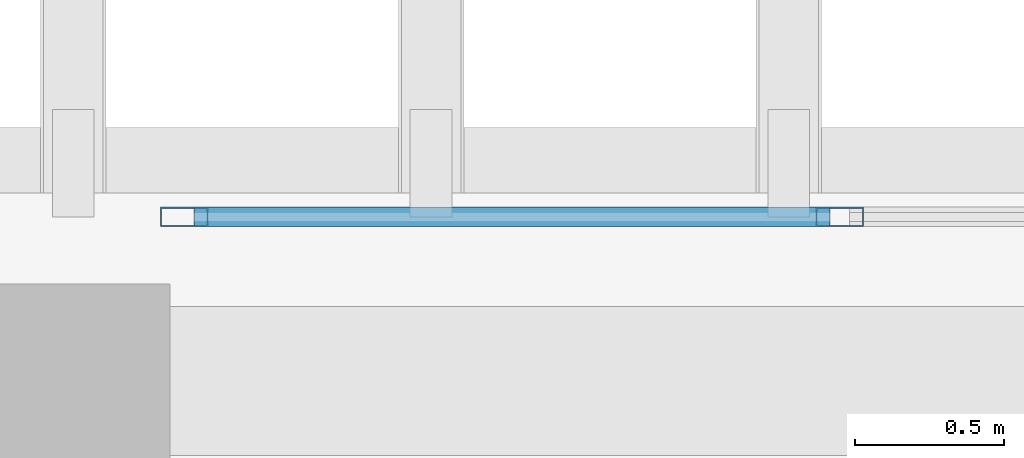
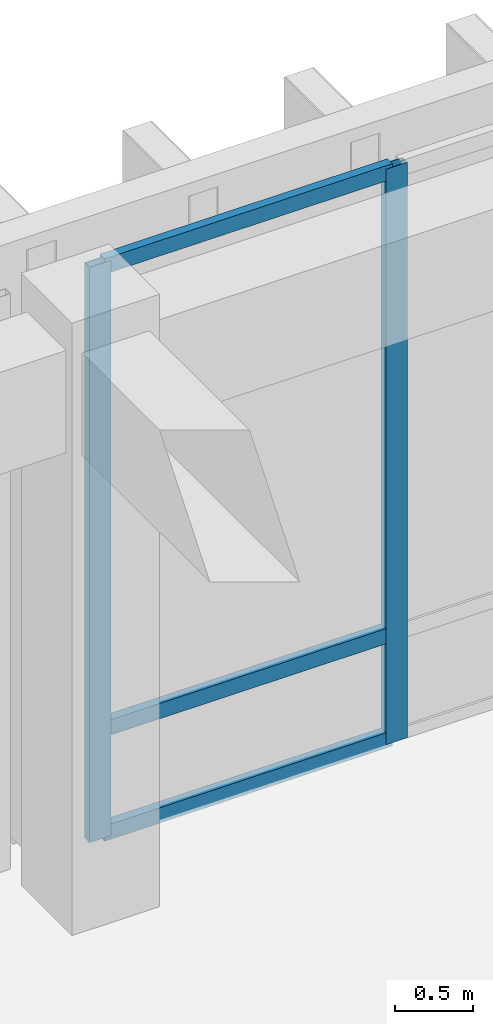
# One storey, part 31 of 101: 5 members, 1 element without a shape of its own.
"""IFC4 building model written with IfcOpenShell, lengths in metres."""

from ifc_helpers import new_model, si_unit, direction, frame, origin, origin_2d, place, context, subcontext, project, spatial, hollow_rectangle, extrude, material, layer, layer_set, material_profile, profile_set, type_object, element, aggregate, save


model = new_model("IFC4")

# Units and contexts
model_context = context("Model", 3, precision=1e-05, world=origin(), true_north=direction((0.0, 1.0)))
body_context = subcontext(model_context, "Body", "Model", "MODEL_VIEW")
ifc_project = project(units=[si_unit("LENGTHUNIT", "METRE"), si_unit("AREAUNIT", "SQUARE_METRE"), si_unit("VOLUMEUNIT", "CUBIC_METRE"), si_unit("PLANEANGLEUNIT", "RADIAN"), si_unit("MASSUNIT", "GRAM", prefix="KILO")], contexts=[model_context])

# Site, building, storey
site_placement = place(None, origin())
site = spatial("IfcSite", under=ifc_project, at=site_placement, CompositionType="ELEMENT")
building_placement = place(site_placement, origin())
building = spatial("IfcBuilding", under=site, at=building_placement, Name="Nakhvara Creek Congress Hotel", CompositionType="ELEMENT")
storey_placement = place(building_placement, frame((0.0, 0.0, 16.199951171875)))
storey = spatial("IfcBuildingStorey", under=building, at=storey_placement, Name="L03", CompositionType="ELEMENT", Elevation=16.199951171875)

# Curtain wall, members
ifc_material_1 = material(Name="Bronze-anodised aluminium AW-6063-T6 and double-silver low-E glass", Category="aluminium")
ifc_layer = layer(ifc_material_1, 0.199951171875)
ifc_layer_set = layer_set([ifc_layer], Name="Bronze-anodised aluminium AW-6063-T6 and double-silver low-E glass")
curtain_wall_type = type_object("IfcCurtainWallType", Name="CW-POD-STICK", PredefinedType="NOTDEFINED", material=ifc_layer_set)
curtain_wall_placement = place(storey_placement, origin())
curtain_wall = element("IfcCurtainWall", 1, at=curtain_wall_placement, inside=storey, type_object=curtain_wall_type, Name="Curtain Wall CW104", PredefinedType="NOTDEFINED")
ifc_material_2 = material(Name="Bronze-anodised aluminium AW-6063-T6", Category="aluminium")
ifc_material_profile_1 = material_profile(ifc_material_2, hollow_rectangle(XDim=0.06494140625, YDim=0.159912109375, WallThickness=0.00390625, at=origin_2d()), Name="ALU-MULL 65x160x4", Category="LoadBearing")
ifc_profile_set_1 = profile_set([ifc_material_profile_1], Name="Bronze-anodised aluminium AW-6063-T6")
member_type_1 = type_object("IfcMemberType", Name="CW-MULL-160", PredefinedType="MULLION", material=ifc_profile_set_1)
member_1_placement = place(storey_placement, frame((125.172607421875, 95.800048828125, 0.0), z_axis=(0.0, 0.0, 1.0), x_axis=(0.0, 1.0, 0.0)))
member_1 = element("IfcMember", 2, at=member_1_placement, type_object=member_type_1, Name="CW104 mullion 1", PredefinedType="MULLION", context=body_context, shape_type="SweptSolid", body=[
    extrude(hollow_rectangle(XDim=0.06494140625, YDim=0.159912109375, WallThickness=0.00390625, at=origin_2d()), origin(), (0.0, 0.0, 1.0), 4.510009765625),
])
member_2_placement = place(storey_placement, frame((127.3701171875, 95.800048828125, 0.0), z_axis=(0.0, 0.0, 1.0), x_axis=(0.0, 1.0, 0.0)))
member_2 = element("IfcMember", 3, at=member_2_placement, type_object=member_type_1, Name="CW104 mullion 2", PredefinedType="MULLION", context=body_context, shape_type="SweptSolid", body=[
    extrude(hollow_rectangle(XDim=0.06494140625, YDim=0.159912109375, WallThickness=0.00390625, at=origin_2d()), origin(), (0.0, 0.0, 1.0), 4.510009765625),
])
ifc_material_profile_2 = material_profile(ifc_material_2, hollow_rectangle(XDim=0.06494140625, YDim=0.1201171875, WallThickness=0.00390625, at=origin_2d()), Name="ALU-TRAN 65x120x4", Category="LoadBearing")
ifc_profile_set_2 = profile_set([ifc_material_profile_2], Name="Bronze-anodised aluminium AW-6063-T6")
member_type_2 = type_object("IfcMemberType", Name="CW-TRAN-120", PredefinedType="USERDEFINED", material=ifc_profile_set_2)
member_3_placement = place(storey_placement, frame((125.205078125, 95.800048828125, 0.032470703125), z_axis=(1.0, 0.0, 0.0), x_axis=(0.0, 1.0, 0.0)))
member_3 = element("IfcMember", 4, at=member_3_placement, type_object=member_type_2, Name="CW104 transom 1.1", ObjectType="TRANSOM", PredefinedType="USERDEFINED", context=body_context, shape_type="SweptSolid", body=[
    extrude(hollow_rectangle(XDim=0.06494140625, YDim=0.1201171875, WallThickness=0.00390625, at=origin_2d()), origin(), (0.0, 0.0, 1.0), 2.13232421875),
])
member_4_placement = place(storey_placement, frame((125.205078125, 95.800048828125, 0.85009765625), z_axis=(1.0, 0.0, 0.0), x_axis=(0.0, 1.0, 0.0)))
member_4 = element("IfcMember", 5, at=member_4_placement, type_object=member_type_2, Name="CW104 transom 1.2", ObjectType="TRANSOM", PredefinedType="USERDEFINED", context=body_context, shape_type="SweptSolid", body=[
    extrude(hollow_rectangle(XDim=0.06494140625, YDim=0.1201171875, WallThickness=0.00390625, at=origin_2d()), origin(), (0.0, 0.0, 1.0), 2.13232421875),
])
member_5_placement = place(storey_placement, frame((125.205078125, 95.800048828125, 4.4775390625), z_axis=(1.0, 0.0, 0.0), x_axis=(0.0, 1.0, 0.0)))
member_5 = element("IfcMember", 6, at=member_5_placement, type_object=member_type_2, Name="CW104 transom 1.3", ObjectType="TRANSOM", PredefinedType="USERDEFINED", context=body_context, shape_type="SweptSolid", body=[
    extrude(hollow_rectangle(XDim=0.06494140625, YDim=0.1201171875, WallThickness=0.00390625, at=origin_2d()), origin(), (0.0, 0.0, 1.0), 2.13232421875),
])
aggregate(curtain_wall, [member_1, member_2, member_3, member_4, member_5])

save(model, "model.ifc")
